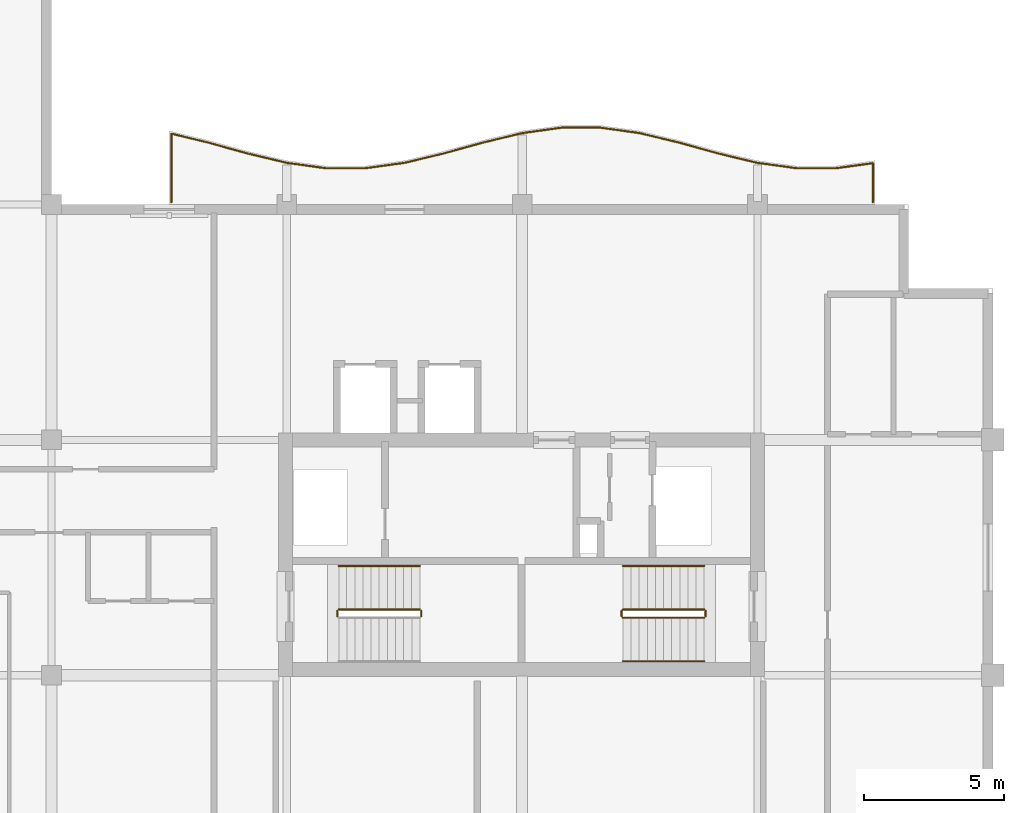
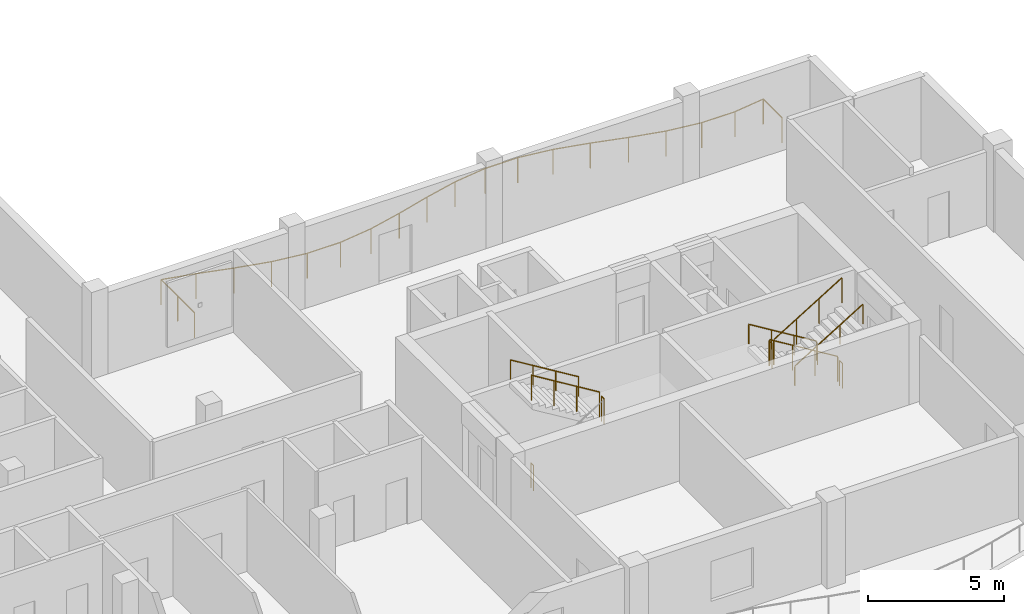
# One storey, part 11 of 12: 11 railings.
"""IFC4 building model written with IfcOpenShell, lengths in metres."""

from ifc_helpers import new_model, si_unit, direction, frame, origin, origin_2d, place, context, subcontext, project, spatial, circle, extrude, material, type_object, element, save


model = new_model("IFC4")

# Units and contexts
model_context = context("Model", 3, precision=1e-05, world=origin(), true_north=direction((0.0, 1.0)))
body_context = subcontext(model_context, "Body", "Model", "MODEL_VIEW")
ifc_project = project(units=[si_unit("LENGTHUNIT", "METRE"), si_unit("AREAUNIT", "SQUARE_METRE"), si_unit("VOLUMEUNIT", "CUBIC_METRE"), si_unit("PLANEANGLEUNIT", "RADIAN"), si_unit("MASSUNIT", "GRAM", prefix="KILO")], contexts=[model_context])

# Site, building, storey
site_placement = place(None, origin())
site = spatial("IfcSite", under=ifc_project, at=site_placement, CompositionType="ELEMENT")
building_placement = place(site_placement, origin())
building = spatial("IfcBuilding", under=site, at=building_placement, Name="Koriwani Terraces Tower", CompositionType="ELEMENT")
storey_placement = place(building_placement, frame((0.0, 0.0, 328.10009765625)))
storey = spatial("IfcBuildingStorey", under=building, at=storey_placement, Name="L81", CompositionType="ELEMENT", Elevation=328.10009765625)

# Railings
ifc_material = material(Name="Steel ASTM A572 Grade 50", Category="steel")
railing_type_1 = type_object("IfcRailingType", Name="GUARD_BALUSTRADE_1150", PredefinedType="BALUSTRADE", material=ifc_material)
railing_1_placement = place(storey_placement, frame((62.919921875, 33.679931640625, 0.0)))
element("IfcRailing", 1, at=railing_1_placement, inside=storey, type_object=railing_type_1, Name="L81 Balcony Perimeter Safety Balustrade (NE)", PredefinedType="BALUSTRADE", context=body_context, shape_type="SweptSolid", body=[
    extrude(circle(Radius=0.02392578125, at=origin_2d()), frame((0.0, 0.0, 1.1259765625), z_axis=(0.0, 1.0, 0.0), x_axis=(-1.0, 0.0, 0.0)), (0.0, 0.0, 1.0), 1.39794921875),
    extrude(circle(Radius=0.02392578125, at=origin_2d()), frame((0.0, 1.39794921875, 1.1259765625), z_axis=(-0.99056178386, -0.137066963034, 0.0), x_axis=(0.137066963034, -0.99056178386, 0.0)), (0.0, 0.0, 1.0), 1.326904296875),
    extrude(circle(Radius=0.02392578125, at=origin_2d()), frame((-1.314453125, 1.216064453125, 1.1259765625), z_axis=(-1.0, 0.0, 0.0), x_axis=(0.0, -1.0, 0.0)), (0.0, 0.0, 1.0), 1.410888671875),
    extrude(circle(Radius=0.02392578125, at=origin_2d()), frame((-2.725341796875, 1.216064453125, 1.1259765625), z_axis=(-0.990534439774, 0.137264429555, 0.0), x_axis=(-0.137264429555, -0.990534439774, 0.0)), (0.0, 0.0, 1.0), 1.4228515625),
    extrude(circle(Radius=0.02392578125, at=origin_2d()), frame((-4.134765625, 1.411376953125, 1.1259765625), z_axis=(-0.972404167631, 0.233302667738, 0.0), x_axis=(-0.233302667738, -0.972404167631, 0.0)), (0.0, 0.0, 1.0), 1.445068359375),
    extrude(circle(Radius=0.02392578125, at=origin_2d()), frame((-5.5400390625, 1.74853515625, 1.1259765625), z_axis=(-0.963638196753, 0.267210452187, 0.0), x_axis=(-0.267210452187, -0.963638196753, 0.0)), (0.0, 0.0, 1.0), 1.45263671875),
    extrude(circle(Radius=0.02392578125, at=origin_2d()), frame((-6.93994140625, 2.13671875, 1.1259765625), z_axis=(-0.972353303141, 0.233514568862, 0.0), x_axis=(-0.233514568862, -0.972353303141, 0.0)), (0.0, 0.0, 1.0), 1.434326171875),
    extrude(circle(Radius=0.02392578125, at=origin_2d()), frame((-8.334716796875, 2.4716796875, 1.1259765625), z_axis=(-0.990518583157, 0.137378806302, 0.0), x_axis=(-0.137378806302, -0.990518583157, 0.0)), (0.0, 0.0, 1.0), 1.404052734375),
    extrude(circle(Radius=0.02392578125, at=origin_2d()), frame((-9.725341796875, 2.66455078125, 1.1259765625), z_axis=(-1.0, 0.0, 0.0), x_axis=(0.0, -1.0, 0.0)), (0.0, 0.0, 1.0), 1.38916015625),
    extrude(circle(Radius=0.02392578125, at=origin_2d()), frame((-11.114501953125, 2.66455078125, 1.1259765625), z_axis=(-0.990518583157, -0.137378806302, 0.0), x_axis=(0.137378806302, -0.990518583157, 0.0)), (0.0, 0.0, 1.0), 1.404052734375),
    extrude(circle(Radius=0.02392578125, at=origin_2d()), frame((-12.505126953125, 2.4716796875, 1.1259765625), z_axis=(-0.972353303141, -0.233514568862, 0.0), x_axis=(0.233514568862, -0.972353303141, 0.0)), (0.0, 0.0, 1.0), 1.434326171875),
    extrude(circle(Radius=0.02392578125, at=origin_2d()), frame((-13.89990234375, 2.13671875, 1.1259765625), z_axis=(-0.963638196753, -0.267210452187, 0.0), x_axis=(0.267210452187, -0.963638196753, 0.0)), (0.0, 0.0, 1.0), 1.45263671875),
    extrude(circle(Radius=0.02392578125, at=origin_2d()), frame((-15.2998046875, 1.74853515625, 1.1259765625), z_axis=(-0.972404167631, -0.233302667738, 0.0), x_axis=(0.233302667738, -0.972404167631, 0.0)), (0.0, 0.0, 1.0), 1.445068359375),
    extrude(circle(Radius=0.02392578125, at=origin_2d()), frame((-16.705078125, 1.411376953125, 1.1259765625), z_axis=(-0.990534439774, -0.137264429555, 0.0), x_axis=(0.137264429555, -0.990534439774, 0.0)), (0.0, 0.0, 1.0), 1.4228515625),
    extrude(circle(Radius=0.02392578125, at=origin_2d()), frame((-18.114501953125, 1.216064453125, 1.1259765625), z_axis=(-1.0, 0.0, 0.0), x_axis=(0.0, -1.0, 0.0)), (0.0, 0.0, 1.0), 1.410888671875),
    extrude(circle(Radius=0.02392578125, at=origin_2d()), frame((-19.525390625, 1.216064453125, 1.1259765625), z_axis=(-0.990534439774, 0.137264429555, 0.0), x_axis=(-0.137264429555, -0.990534439774, 0.0)), (0.0, 0.0, 1.0), 1.4228515625),
    extrude(circle(Radius=0.02392578125, at=origin_2d()), frame((-20.934814453125, 1.411376953125, 1.1259765625), z_axis=(-0.972394970075, 0.233340999769, 0.0), x_axis=(-0.233340999769, -0.972394970075, 0.0)), (0.0, 0.0, 1.0), 1.44482421875),
    extrude(circle(Radius=0.02392578125, at=origin_2d()), frame((-22.33984375, 1.74853515625, 1.1259765625), z_axis=(-0.963650193341, 0.26716718525, 0.0), x_axis=(-0.26716718525, -0.963650193341, 0.0)), (0.0, 0.0, 1.0), 1.452880859375),
    extrude(circle(Radius=0.02392578125, at=origin_2d()), frame((-23.739990234375, 2.13671875, 1.1259765625), z_axis=(-0.9723458494, 0.233545604015, 0.0), x_axis=(-0.233545604015, -0.9723458494, 0.0)), (0.0, 0.0, 1.0), 1.3369140625),
    extrude(circle(Radius=0.02392578125, at=origin_2d()), frame((-25.0400390625, 2.448974609375, 1.1259765625), z_axis=(0.0, -1.0, 0.0), x_axis=(1.0, 0.0, 0.0)), (0.0, 0.0, 1.0), 2.448974609375),
    extrude(circle(Radius=0.02099609375, at=origin_2d()), origin(), (0.0, 0.0, 1.0), 1.101806640625),
    extrude(circle(Radius=0.02099609375, at=origin_2d()), frame((0.0, 1.39794921875, 0.0)), (0.0, 0.0, 1.0), 1.101806640625),
    extrude(circle(Radius=0.02099609375, at=origin_2d()), frame((-1.314453125, 1.216064453125, 0.0)), (0.0, 0.0, 1.0), 1.101806640625),
    extrude(circle(Radius=0.02099609375, at=origin_2d()), frame((-2.725341796875, 1.216064453125, 0.0)), (0.0, 0.0, 1.0), 1.101806640625),
    extrude(circle(Radius=0.02099609375, at=origin_2d()), frame((-4.134765625, 1.411376953125, 0.0)), (0.0, 0.0, 1.0), 1.101806640625),
    extrude(circle(Radius=0.02099609375, at=origin_2d()), frame((-5.5400390625, 1.74853515625, 0.0)), (0.0, 0.0, 1.0), 1.101806640625),
    extrude(circle(Radius=0.02099609375, at=origin_2d()), frame((-6.93994140625, 2.13671875, 0.0)), (0.0, 0.0, 1.0), 1.101806640625),
    extrude(circle(Radius=0.02099609375, at=origin_2d()), frame((-8.334716796875, 2.4716796875, 0.0)), (0.0, 0.0, 1.0), 1.101806640625),
    extrude(circle(Radius=0.02099609375, at=origin_2d()), frame((-9.725341796875, 2.66455078125, 0.0)), (0.0, 0.0, 1.0), 1.101806640625),
    extrude(circle(Radius=0.02099609375, at=origin_2d()), frame((-11.114501953125, 2.66455078125, 0.0)), (0.0, 0.0, 1.0), 1.101806640625),
    extrude(circle(Radius=0.02099609375, at=origin_2d()), frame((-12.505126953125, 2.4716796875, 0.0)), (0.0, 0.0, 1.0), 1.101806640625),
    extrude(circle(Radius=0.02099609375, at=origin_2d()), frame((-13.89990234375, 2.13671875, 0.0)), (0.0, 0.0, 1.0), 1.101806640625),
    extrude(circle(Radius=0.02099609375, at=origin_2d()), frame((-15.2998046875, 1.74853515625, 0.0)), (0.0, 0.0, 1.0), 1.101806640625),
    extrude(circle(Radius=0.02099609375, at=origin_2d()), frame((-16.705078125, 1.411376953125, 0.0)), (0.0, 0.0, 1.0), 1.101806640625),
    extrude(circle(Radius=0.02099609375, at=origin_2d()), frame((-18.114501953125, 1.216064453125, 0.0)), (0.0, 0.0, 1.0), 1.101806640625),
    extrude(circle(Radius=0.02099609375, at=origin_2d()), frame((-19.525390625, 1.216064453125, 0.0)), (0.0, 0.0, 1.0), 1.101806640625),
    extrude(circle(Radius=0.02099609375, at=origin_2d()), frame((-20.934814453125, 1.411376953125, 0.0)), (0.0, 0.0, 1.0), 1.101806640625),
    extrude(circle(Radius=0.02099609375, at=origin_2d()), frame((-22.33984375, 1.74853515625, 0.0)), (0.0, 0.0, 1.0), 1.101806640625),
    extrude(circle(Radius=0.02099609375, at=origin_2d()), frame((-23.739990234375, 2.13671875, 0.0)), (0.0, 0.0, 1.0), 1.101806640625),
    extrude(circle(Radius=0.02099609375, at=origin_2d()), frame((-25.0400390625, 2.448974609375, 0.0)), (0.0, 0.0, 1.0), 1.101806640625),
    extrude(circle(Radius=0.02099609375, at=origin_2d()), frame((-25.0400390625, 1.224609375, 0.0)), (0.0, 0.0, 1.0), 1.101806640625),
    extrude(circle(Radius=0.02099609375, at=origin_2d()), frame((-25.0400390625, 0.0, 0.0)), (0.0, 0.0, 1.0), 1.101806640625),
])
railing_type_2 = type_object("IfcRailingType", Name="GUARD_STAIR_WELL_1120", PredefinedType="GUARDRAIL", material=ifc_material)
railing_2_placement = place(storey_placement, frame((46.800048828125, 18.89990234375, 1.949951171875)))
element("IfcRailing", 2, at=railing_2_placement, inside=storey, type_object=railing_type_2, Name="L81 ST-E1 stair guard 2", PredefinedType="GUARDRAIL", context=body_context, shape_type="SweptSolid", body=[
    extrude(circle(Radius=0.02392578125, at=origin_2d()), frame((0.0, 0.0, 1.1259765625), z_axis=(0.0, 1.0, 0.0), x_axis=(-1.0, 0.0, 0.0)), (0.0, 0.0, 1.0), 0.2001953125),
    extrude(circle(Radius=0.02099609375, at=origin_2d()), origin(), (0.0, 0.0, 1.0), 1.101806640625),
    extrude(circle(Radius=0.02099609375, at=origin_2d()), frame((0.0, 0.2001953125, 0.0)), (0.0, 0.0, 1.0), 1.101806640625),
])
railing_3_placement = place(storey_placement, frame((46.75, 19.14990234375, 2.127197265625)))
element("IfcRailing", 3, at=railing_3_placement, inside=storey, type_object=railing_type_2, Name="L81 ST-E1 stair guard 3", PredefinedType="GUARDRAIL", context=body_context, shape_type="SweptSolid", body=[
    extrude(circle(Radius=0.02392578125, at=origin_2d()), frame((0.0, 0.0, 1.1259765625), z_axis=(-0.853210801645, 0.0, 0.521566225858), x_axis=(0.0, -1.0, 0.0)), (0.0, 0.0, 1.0), 3.39892578125),
    extrude(circle(Radius=0.02099609375, at=origin_2d()), origin(), (0.0, 0.0, 1.0), 1.101806640625),
    extrude(circle(Radius=0.02099609375, at=origin_2d()), frame((-0.966552734375, 0.0, 0.5908203125)), (0.0, 0.0, 1.0), 1.101806640625),
    extrude(circle(Radius=0.02099609375, at=origin_2d()), frame((-1.933349609375, 0.0, 1.181884765625)), (0.0, 0.0, 1.0), 1.101806640625),
    extrude(circle(Radius=0.02099609375, at=origin_2d()), frame((-2.89990234375, 0.0, 1.772705078125)), (0.0, 0.0, 1.0), 1.101806640625),
])
railing_4_placement = place(storey_placement, frame((43.800048828125, 18.89990234375, 0.0)))
element("IfcRailing", 4, at=railing_4_placement, inside=storey, type_object=railing_type_2, Name="L81 ST-E1 stair guard 4", PredefinedType="GUARDRAIL", context=body_context, shape_type="SweptSolid", body=[
    extrude(circle(Radius=0.02392578125, at=origin_2d()), frame((0.0, 0.0, 1.1259765625), z_axis=(0.0, 1.0, 0.0), x_axis=(-1.0, 0.0, 0.0)), (0.0, 0.0, 1.0), 0.2001953125),
    extrude(circle(Radius=0.02099609375, at=origin_2d()), origin(), (0.0, 0.0, 1.0), 1.101806640625),
    extrude(circle(Radius=0.02099609375, at=origin_2d()), frame((0.0, 0.2001953125, 0.0)), (0.0, 0.0, 1.0), 1.101806640625),
])
railing_5_placement = place(storey_placement, frame((56.89990234375, 19.14990234375, 0.17724609375)))
element("IfcRailing", 5, at=railing_5_placement, inside=storey, type_object=railing_type_2, Name="L81 ST-E2 stair guard 1", PredefinedType="GUARDRAIL", context=body_context, shape_type="SweptSolid", body=[
    extrude(circle(Radius=0.02392578125, at=origin_2d()), frame((0.0, 0.0, 1.1259765625), z_axis=(-0.853210801645, 0.0, 0.521566225858), x_axis=(0.0, -1.0, 0.0)), (0.0, 0.0, 1.0), 3.39892578125),
    extrude(circle(Radius=0.02099609375, at=origin_2d()), origin(), (0.0, 0.0, 1.0), 1.101806640625),
    extrude(circle(Radius=0.02099609375, at=origin_2d()), frame((-0.966552734375, 0.0, 0.5908203125)), (0.0, 0.0, 1.0), 1.101806640625),
    extrude(circle(Radius=0.02099609375, at=origin_2d()), frame((-1.933349609375, 0.0, 1.181884765625)), (0.0, 0.0, 1.0), 1.101806640625),
    extrude(circle(Radius=0.02099609375, at=origin_2d()), frame((-2.89990234375, 0.0, 1.772705078125)), (0.0, 0.0, 1.0), 1.101806640625),
])
railing_6_placement = place(storey_placement, frame((53.949951171875, 19.10009765625, 1.949951171875)))
element("IfcRailing", 6, at=railing_6_placement, inside=storey, type_object=railing_type_2, Name="L81 ST-E2 stair guard 2", PredefinedType="GUARDRAIL", context=body_context, shape_type="SweptSolid", body=[
    extrude(circle(Radius=0.02392578125, at=origin_2d()), frame((0.0, 0.0, 1.1259765625), z_axis=(0.0, -1.0, 0.0), x_axis=(1.0, 0.0, 0.0)), (0.0, 0.0, 1.0), 0.2001953125),
    extrude(circle(Radius=0.02099609375, at=origin_2d()), origin(), (0.0, 0.0, 1.0), 1.101806640625),
    extrude(circle(Radius=0.02099609375, at=origin_2d()), frame((0.0, -0.2001953125, 0.0)), (0.0, 0.0, 1.0), 1.101806640625),
])
railing_7_placement = place(storey_placement, frame((54.0, 18.85009765625, 2.127197265625)))
element("IfcRailing", 7, at=railing_7_placement, inside=storey, type_object=railing_type_2, Name="L81 ST-E2 stair guard 3", PredefinedType="GUARDRAIL", context=body_context, shape_type="SweptSolid", body=[
    extrude(circle(Radius=0.02392578125, at=origin_2d()), frame((0.0, 0.0, 1.1259765625), z_axis=(0.853210801645, 0.0, 0.521566225858), x_axis=(0.0, 1.0, 0.0)), (0.0, 0.0, 1.0), 3.39892578125),
    extrude(circle(Radius=0.02099609375, at=origin_2d()), origin(), (0.0, 0.0, 1.0), 1.101806640625),
    extrude(circle(Radius=0.02099609375, at=origin_2d()), frame((0.966552734375, 0.0, 0.5908203125)), (0.0, 0.0, 1.0), 1.101806640625),
    extrude(circle(Radius=0.02099609375, at=origin_2d()), frame((1.933349609375, 0.0, 1.181884765625)), (0.0, 0.0, 1.0), 1.101806640625),
    extrude(circle(Radius=0.02099609375, at=origin_2d()), frame((2.89990234375, 0.0, 1.772705078125)), (0.0, 0.0, 1.0), 1.101806640625),
])
railing_8_placement = place(storey_placement, frame((56.949951171875, 19.10009765625, 0.0)))
element("IfcRailing", 8, at=railing_8_placement, inside=storey, type_object=railing_type_2, Name="L81 ST-E2 stair guard 4", PredefinedType="GUARDRAIL", context=body_context, shape_type="SweptSolid", body=[
    extrude(circle(Radius=0.02392578125, at=origin_2d()), frame((0.0, 0.0, 1.1259765625), z_axis=(0.0, -1.0, 0.0), x_axis=(1.0, 0.0, 0.0)), (0.0, 0.0, 1.0), 0.2001953125),
    extrude(circle(Radius=0.02099609375, at=origin_2d()), origin(), (0.0, 0.0, 1.0), 1.101806640625),
    extrude(circle(Radius=0.02099609375, at=origin_2d()), frame((0.0, -0.2001953125, 0.0)), (0.0, 0.0, 1.0), 1.101806640625),
])
railing_type_3 = type_object("IfcRailingType", Name="HANDRAIL_STAIR_920", PredefinedType="HANDRAIL", material=ifc_material)
for number, where, name in (
    (9, (46.75, 20.699951171875, 2.127197265625), "L81 ST-E1 stair handrail 2"),
    (10, (56.89990234375, 20.699951171875, 0.17724609375), "L81 ST-E2 stair handrail 1"),
):
    element("IfcRailing", number, at=place(storey_placement, frame(where)), inside=storey, type_object=railing_type_3, Name=name, PredefinedType="HANDRAIL", context=body_context, shape_type="SweptSolid", body=[
        extrude(circle(Radius=0.02392578125, at=origin_2d()), frame((0.0, 0.0, 0.8759765625), z_axis=(-0.853210801645, 0.0, 0.521566225858), x_axis=(0.0, -1.0, 0.0)), (0.0, 0.0, 1.0), 3.39892578125),
        extrude(circle(Radius=0.02099609375, at=origin_2d()), origin(), (0.0, 0.0, 1.0), 0.851806640625),
        extrude(circle(Radius=0.02099609375, at=origin_2d()), frame((-0.966552734375, 0.0, 0.5908203125)), (0.0, 0.0, 1.0), 0.851806640625),
        extrude(circle(Radius=0.02099609375, at=origin_2d()), frame((-1.933349609375, 0.0, 1.181884765625)), (0.0, 0.0, 1.0), 0.851806640625),
        extrude(circle(Radius=0.02099609375, at=origin_2d()), frame((-2.89990234375, 0.0, 1.772705078125)), (0.0, 0.0, 1.0), 0.851806640625),
    ])
railing_9_placement = place(storey_placement, frame((54.0, 17.300048828125, 2.127197265625)))
element("IfcRailing", 11, at=railing_9_placement, inside=storey, type_object=railing_type_3, Name="L81 ST-E2 stair handrail 2", PredefinedType="HANDRAIL", context=body_context, shape_type="SweptSolid", body=[
    extrude(circle(Radius=0.02392578125, at=origin_2d()), frame((0.0, 0.0, 0.8759765625), z_axis=(0.853210801645, 0.0, 0.521566225858), x_axis=(0.0, 1.0, 0.0)), (0.0, 0.0, 1.0), 3.39892578125),
    extrude(circle(Radius=0.02099609375, at=origin_2d()), origin(), (0.0, 0.0, 1.0), 0.851806640625),
    extrude(circle(Radius=0.02099609375, at=origin_2d()), frame((0.966552734375, 0.0, 0.5908203125)), (0.0, 0.0, 1.0), 0.851806640625),
    extrude(circle(Radius=0.02099609375, at=origin_2d()), frame((1.933349609375, 0.0, 1.181884765625)), (0.0, 0.0, 1.0), 0.851806640625),
    extrude(circle(Radius=0.02099609375, at=origin_2d()), frame((2.89990234375, 0.0, 1.772705078125)), (0.0, 0.0, 1.0), 0.851806640625),
])

save(model, "model.ifc")
